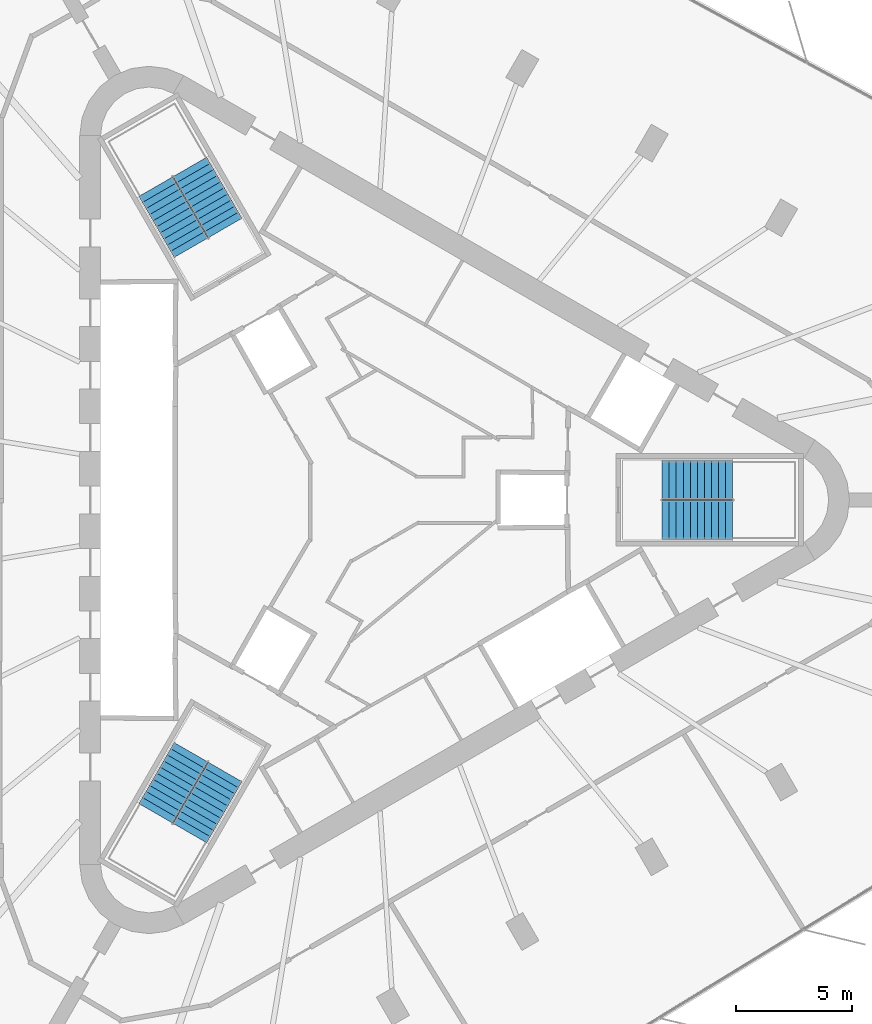
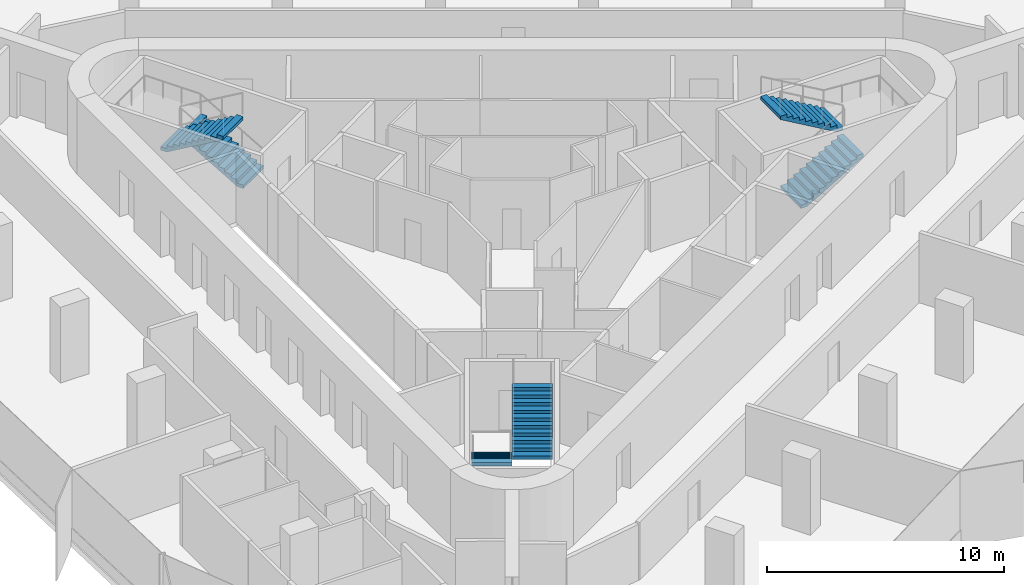
# One storey, part 11 of 12: 6 stair flights, 3 elements without a shape of their own.
"""IFC4 building model written with IfcOpenShell, lengths in metres."""

from ifc_helpers import new_model, si_unit, direction, frame, origin, place, context, subcontext, project, spatial, polyline, outline, extrude, material, type_object, element, aggregate, save


model = new_model("IFC4")

# Units and contexts
model_context = context("Model", 3, precision=1e-05, world=origin(), true_north=direction((0.0, 1.0)))
body_context = subcontext(model_context, "Body", "Model", "MODEL_VIEW")
ifc_project = project(units=[si_unit("LENGTHUNIT", "METRE"), si_unit("AREAUNIT", "SQUARE_METRE"), si_unit("VOLUMEUNIT", "CUBIC_METRE"), si_unit("PLANEANGLEUNIT", "RADIAN"), si_unit("MASSUNIT", "GRAM", prefix="KILO")], contexts=[model_context])

# Site, building, storey
site_placement = place(None, origin())
site = spatial("IfcSite", under=ifc_project, at=site_placement, CompositionType="ELEMENT")
building_placement = place(site_placement, origin())
building = spatial("IfcBuilding", under=site, at=building_placement, Name="Tanit Gate Tower", CompositionType="ELEMENT")
storey_placement = place(building_placement, frame((0.0, 0.0, 353.300048828125)))
storey = spatial("IfcBuildingStorey", under=building, at=storey_placement, Name="L80", CompositionType="ELEMENT", Elevation=353.300048828125)

# Stair, stair flights
ifc_material_1 = material(Name="Concrete C40/50", Category="concrete")
stair_type = type_object("IfcStairType", Name="INT-STAIR-EXIT", PredefinedType="HALF_TURN_STAIR", material=ifc_material_1)
stair_1_placement = place(storey_placement, origin())
stair_1 = element("IfcStair", 1, at=stair_1_placement, inside=storey, type_object=stair_type, Name="L80 STAIR S1", PredefinedType="HALF_TURN_STAIR")
ifc_material_2 = material(Name="Concrete C40/50", Category="concrete")
stair_flight_type = type_object("IfcStairFlightType", Name="INT-STAIR-FLIGHT", PredefinedType="STRAIGHT", material=ifc_material_2)
stair_flight_1_placement = place(storey_placement, frame((13.094970703125, -0.8525390625, 0.0), z_axis=(0.0, 0.0, 1.0), x_axis=(1.0, 0.0, 0.0)))
stair_flight_1 = element("IfcStairFlight", 2, at=stair_flight_1_placement, type_object=stair_flight_type, Name="S1 flight 1", NumberOfRisers=11, NumberOfTreads=10, PredefinedType="STRAIGHT", RiserHeight=0.177272727, TreadLength=0.3051, context=body_context, shape_type="SweptSolid", body=[
    extrude(outline(polyline([(0.0, 0.0), (0.0, 0.17724609375), (0.30517578125, 0.17724609375), (0.30517578125, 0.3544921875), (0.610107421875, 0.3544921875), (0.610107421875, 0.53173828125), (0.915283203125, 0.53173828125), (0.915283203125, 0.708984375), (1.220458984375, 0.708984375), (1.220458984375, 0.886474609375), (1.525390625, 0.886474609375), (1.525390625, 1.063720703125), (1.83056640625, 1.063720703125), (1.83056640625, 1.240966796875), (2.1357421875, 1.240966796875), (2.1357421875, 1.418212890625), (2.44091796875, 1.418212890625), (2.44091796875, 1.595458984375), (2.745849609375, 1.595458984375), (2.745849609375, 1.772705078125), (3.051025390625, 1.772705078125), (3.051025390625, 1.949951171875), (3.051025390625, 1.599365234375), (0.29833984375, 0.0), (0.0, 0.0)])), frame((0.0, 0.84765625, 0.0), z_axis=(0.0, -1.0, 0.0), x_axis=(1.0, 0.0, 0.0)), (0.0, 0.0, 1.0), 1.695068359375),
])
stair_flight_2_placement = place(storey_placement, frame((16.14599609375, 0.8525390625, 1.949951171875), z_axis=(0.0, 0.0, 1.0), x_axis=(-1.0, 0.0, 0.0)))
stair_flight_2 = element("IfcStairFlight", 3, at=stair_flight_2_placement, type_object=stair_flight_type, Name="S1 flight 2", NumberOfRisers=11, NumberOfTreads=10, PredefinedType="STRAIGHT", RiserHeight=0.177272727, TreadLength=0.3051, context=body_context, shape_type="SweptSolid", body=[
    extrude(outline(polyline([(0.0, 0.0), (0.0, 0.17724609375), (0.30517578125, 0.17724609375), (0.30517578125, 0.3544921875), (0.610107421875, 0.3544921875), (0.610107421875, 0.53173828125), (0.915283203125, 0.53173828125), (0.915283203125, 0.708984375), (1.220458984375, 0.708984375), (1.220458984375, 0.886474609375), (1.525390625, 0.886474609375), (1.525390625, 1.063720703125), (1.83056640625, 1.063720703125), (1.83056640625, 1.240966796875), (2.1357421875, 1.240966796875), (2.1357421875, 1.418212890625), (2.44091796875, 1.418212890625), (2.44091796875, 1.595458984375), (2.745849609375, 1.595458984375), (2.745849609375, 1.772705078125), (3.051025390625, 1.772705078125), (3.051025390625, 1.949951171875), (3.051025390625, 1.599365234375), (0.29833984375, 0.0), (0.0, 0.0)])), frame((0.0, 0.84765625, 0.0), z_axis=(0.0, -1.0, 0.0), x_axis=(1.0, 0.0, 0.0)), (0.0, 0.0, 1.0), 1.695068359375),
])
aggregate(stair_1, [stair_flight_1, stair_flight_2])

stair_2_placement = place(storey_placement, origin())
stair_2 = element("IfcStair", 4, at=stair_2_placement, inside=storey, type_object=stair_type, Name="L80 STAIR S2", PredefinedType="HALF_TURN_STAIR")
stair_flight_3_placement = place(storey_placement, frame((-5.808349609375, 11.766357421875, 0.0), z_axis=(0.0, 0.0, 1.0), x_axis=(-0.5, 0.866025403784, 0.0)))
stair_flight_3 = element("IfcStairFlight", 5, at=stair_flight_3_placement, type_object=stair_flight_type, Name="S2 flight 1", NumberOfRisers=11, NumberOfTreads=10, PredefinedType="STRAIGHT", RiserHeight=0.177272727, TreadLength=0.30492, context=body_context, shape_type="SweptSolid", body=[
    extrude(outline(polyline([(0.0, 0.0), (0.0, 0.17724609375), (0.304931640625, 0.17724609375), (0.304931640625, 0.3544921875), (0.60986328125, 0.3544921875), (0.60986328125, 0.53173828125), (0.914794921875, 0.53173828125), (0.914794921875, 0.708984375), (1.2197265625, 0.708984375), (1.2197265625, 0.886474609375), (1.524658203125, 0.886474609375), (1.524658203125, 1.063720703125), (1.82958984375, 1.063720703125), (1.82958984375, 1.240966796875), (2.134521484375, 1.240966796875), (2.134521484375, 1.418212890625), (2.439453125, 1.418212890625), (2.439453125, 1.595458984375), (2.744384765625, 1.595458984375), (2.744384765625, 1.772705078125), (3.04931640625, 1.772705078125), (3.04931640625, 1.949951171875), (3.04931640625, 1.599365234375), (0.29833984375, 0.0), (0.0, 0.0)])), frame((0.0, 0.84716796875, 0.0), z_axis=(0.0, -1.0, 0.0), x_axis=(1.0, 0.0, 0.0)), (0.0, 0.0, 1.0), 1.694091796875),
])
stair_flight_4_placement = place(storey_placement, frame((-8.810302734375, 13.553955078125, 1.949951171875), z_axis=(0.0, 0.0, 1.0), x_axis=(0.5, -0.866025403784, 0.0)))
stair_flight_4 = element("IfcStairFlight", 6, at=stair_flight_4_placement, type_object=stair_flight_type, Name="S2 flight 2", NumberOfRisers=11, NumberOfTreads=10, PredefinedType="STRAIGHT", RiserHeight=0.177272727, TreadLength=0.30492, context=body_context, shape_type="SweptSolid", body=[
    extrude(outline(polyline([(0.0, 0.0), (0.0, 0.17724609375), (0.304931640625, 0.17724609375), (0.304931640625, 0.3544921875), (0.60986328125, 0.3544921875), (0.60986328125, 0.53173828125), (0.914794921875, 0.53173828125), (0.914794921875, 0.708984375), (1.2197265625, 0.708984375), (1.2197265625, 0.886474609375), (1.524658203125, 0.886474609375), (1.524658203125, 1.063720703125), (1.82958984375, 1.063720703125), (1.82958984375, 1.240966796875), (2.134521484375, 1.240966796875), (2.134521484375, 1.418212890625), (2.439453125, 1.418212890625), (2.439453125, 1.595458984375), (2.744384765625, 1.595458984375), (2.744384765625, 1.772705078125), (3.04931640625, 1.772705078125), (3.04931640625, 1.949951171875), (3.04931640625, 1.599365234375), (0.29833984375, 0.0), (0.0, 0.0)])), frame((0.0, 0.84716796875, 0.0), z_axis=(0.0, -1.0, 0.0), x_axis=(1.0, 0.0, 0.0)), (0.0, 0.0, 1.0), 1.694091796875),
])
aggregate(stair_2, [stair_flight_3, stair_flight_4])

stair_3_placement = place(storey_placement, origin())
stair_3 = element("IfcStair", 7, at=stair_3_placement, inside=storey, type_object=stair_type, Name="L80 STAIR S3", PredefinedType="HALF_TURN_STAIR")
stair_flight_5_placement = place(storey_placement, frame((-7.285888671875, -10.914306640625, 0.0), z_axis=(0.0, 0.0, 1.0), x_axis=(-0.5, -0.866025403784, 0.0)))
stair_flight_5 = element("IfcStairFlight", 8, at=stair_flight_5_placement, type_object=stair_flight_type, Name="S3 flight 1", NumberOfRisers=11, NumberOfTreads=10, PredefinedType="STRAIGHT", RiserHeight=0.177272727, TreadLength=0.3051, context=body_context, shape_type="SweptSolid", body=[
    extrude(outline(polyline([(0.0, 0.0), (0.0, 0.17724609375), (0.30517578125, 0.17724609375), (0.30517578125, 0.3544921875), (0.610107421875, 0.3544921875), (0.610107421875, 0.53173828125), (0.915283203125, 0.53173828125), (0.915283203125, 0.708984375), (1.220458984375, 0.708984375), (1.220458984375, 0.886474609375), (1.525390625, 0.886474609375), (1.525390625, 1.063720703125), (1.83056640625, 1.063720703125), (1.83056640625, 1.240966796875), (2.1357421875, 1.240966796875), (2.1357421875, 1.418212890625), (2.44091796875, 1.418212890625), (2.44091796875, 1.595458984375), (2.745849609375, 1.595458984375), (2.745849609375, 1.772705078125), (3.051025390625, 1.772705078125), (3.051025390625, 1.949951171875), (3.051025390625, 1.599365234375), (0.29833984375, 0.0), (0.0, 0.0)])), frame((0.0, 0.84765625, 0.0), z_axis=(0.0, -1.0, 0.0), x_axis=(1.0, 0.0, 0.0)), (0.0, 0.0, 1.0), 1.695068359375),
])
stair_flight_6_placement = place(storey_placement, frame((-7.334716796875, -14.4091796875, 1.949951171875), z_axis=(0.0, 0.0, 1.0), x_axis=(0.5, 0.866025403784, 0.0)))
stair_flight_6 = element("IfcStairFlight", 9, at=stair_flight_6_placement, type_object=stair_flight_type, Name="S3 flight 2", NumberOfRisers=11, NumberOfTreads=10, PredefinedType="STRAIGHT", RiserHeight=0.177272727, TreadLength=0.3051, context=body_context, shape_type="SweptSolid", body=[
    extrude(outline(polyline([(0.0, 0.0), (0.0, 0.17724609375), (0.30517578125, 0.17724609375), (0.30517578125, 0.3544921875), (0.610107421875, 0.3544921875), (0.610107421875, 0.53173828125), (0.915283203125, 0.53173828125), (0.915283203125, 0.708984375), (1.220458984375, 0.708984375), (1.220458984375, 0.886474609375), (1.525390625, 0.886474609375), (1.525390625, 1.063720703125), (1.83056640625, 1.063720703125), (1.83056640625, 1.240966796875), (2.1357421875, 1.240966796875), (2.1357421875, 1.418212890625), (2.44091796875, 1.418212890625), (2.44091796875, 1.595458984375), (2.745849609375, 1.595458984375), (2.745849609375, 1.772705078125), (3.051025390625, 1.772705078125), (3.051025390625, 1.949951171875), (3.051025390625, 1.599365234375), (0.29833984375, 0.0), (0.0, 0.0)])), frame((0.0, 0.84765625, 0.0), z_axis=(0.0, -1.0, 0.0), x_axis=(1.0, 0.0, 0.0)), (0.0, 0.0, 1.0), 1.695068359375),
])
aggregate(stair_3, [stair_flight_5, stair_flight_6])

save(model, "model.ifc")
